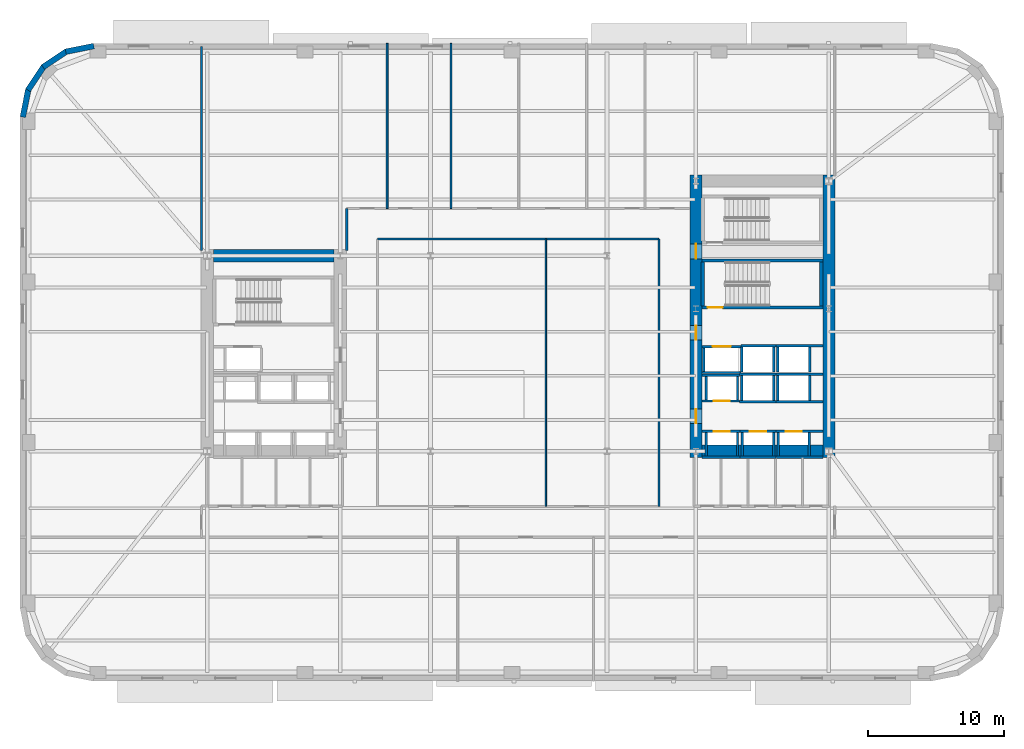
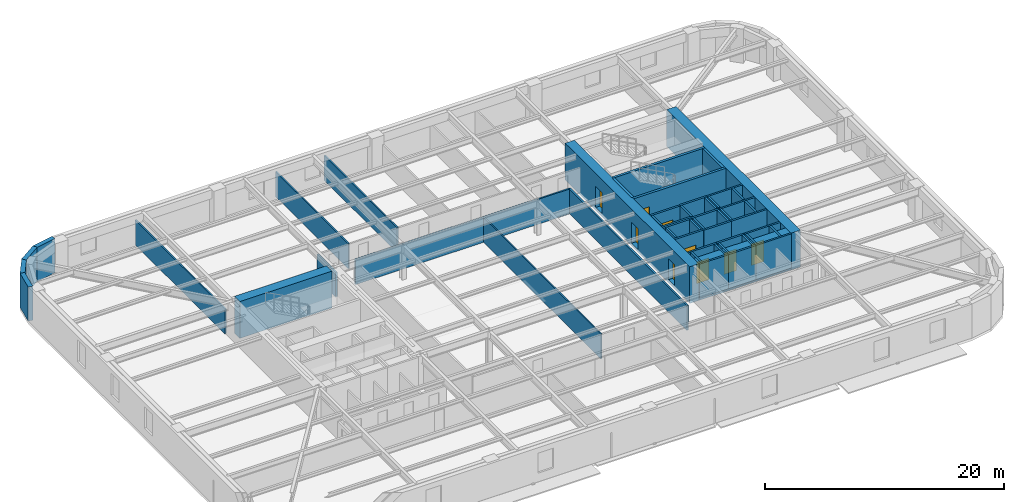
# One storey, part 6 of 15: 52 walls, 9 doors, 9 openings.
"""IFC4 building model written with IfcOpenShell, lengths in metres."""

from ifc_helpers import new_model, si_unit, direction, frame, frame_2d, origin, place, context, subcontext, project, spatial, rectangle, extrude, material, layer, layer_set, type_object, element, fill, save


model = new_model("IFC4")

# Units and contexts
model_context = context("Model", 3, precision=1e-05, world=origin(), true_north=direction((0.0, 1.0)))
body_context = subcontext(model_context, "Body", "Model", "MODEL_VIEW")
ifc_project = project(units=[si_unit("LENGTHUNIT", "METRE"), si_unit("AREAUNIT", "SQUARE_METRE"), si_unit("VOLUMEUNIT", "CUBIC_METRE"), si_unit("PLANEANGLEUNIT", "RADIAN"), si_unit("MASSUNIT", "GRAM", prefix="KILO")], contexts=[model_context])

# Site, building, storey
site_placement = place(None, origin())
site = spatial("IfcSite", under=ifc_project, at=site_placement, CompositionType="ELEMENT")
building_placement = place(site_placement, origin())
building = spatial("IfcBuilding", under=site, at=building_placement, Name="Kolvaren Arena Tower", CompositionType="ELEMENT")
storey_placement = place(building_placement, frame((0.0, 0.0, 68.25)))
storey = spatial("IfcBuildingStorey", under=building, at=storey_placement, Name="L14", CompositionType="ELEMENT", Elevation=68.25)

# Walls
ifc_material_1 = material(Name="Gypsum board acoustic assembly", Category="gypsum")
ifc_layer_1 = layer(ifc_material_1, 0.159912109375)
ifc_layer_set_1 = layer_set([ifc_layer_1], Name="Gypsum board acoustic assembly")
wall_type_1 = type_object("IfcWallType", Name="CORR-160", PredefinedType="PARTITIONING", material=ifc_layer_set_1)
wall_1_placement = place(storey_placement, frame((24.820068359375, 34.25, 0.0), z_axis=(0.0, 0.0, 1.0), x_axis=(0.0, 1.0, 0.0)))
element("IfcWall", 1, at=wall_1_placement, inside=storey, type_object=wall_type_1, Name="Interior Partition Wall (L14)", PredefinedType="PARTITIONING", context=body_context, shape_type="SweptSolid", body=[
    extrude(rectangle(XDim=3.070068359375, YDim=0.159912109375, at=frame_2d((1.53515625, 0.0))), origin(), (0.0, 0.0, 1.0), 2.5400390625),
])
wall_2_placement = place(storey_placement, frame((27.080078125, 35.080078125, 0.0), z_axis=(0.0, 0.0, 1.0), x_axis=(1.0, 0.0, 0.0)))
element("IfcWall", 2, at=wall_2_placement, inside=storey, type_object=wall_type_1, Name="Interior Partition Wall (L14)", PredefinedType="PARTITIONING", context=body_context, shape_type="SweptSolid", body=[
    extrude(rectangle(XDim=20.739990234375, YDim=0.159912109375, at=frame_2d((10.3701171875, 0.0))), origin(), (0.0, 0.0, 1.0), 2.5400390625),
])
wall_3_placement = place(storey_placement, frame((47.820068359375, 15.3798828125, 0.0), z_axis=(0.0, 0.0, 1.0), x_axis=(0.0, 1.0, 0.0)))
element("IfcWall", 3, at=wall_3_placement, inside=storey, type_object=wall_type_1, Name="Interior Partition Wall (L14)", PredefinedType="PARTITIONING", context=body_context, shape_type="SweptSolid", body=[
    extrude(rectangle(XDim=19.7001953125, YDim=0.159912109375, at=frame_2d((9.85009765625, 0.0))), origin(), (0.0, 0.0, 1.0), 2.5400390625),
])
ifc_material_2 = material(Name="Concrete 80 MPa", Category="concrete")
ifc_layer_2 = layer(ifc_material_2, 0.89990234375)
ifc_layer_set_2 = layer_set([ifc_layer_2], Name="Concrete 80 MPa")
wall_type_2 = type_object("IfcWallType", Name="CWALL-900", PredefinedType="SHEAR", material=ifc_layer_set_2)
wall_4_placement = place(storey_placement, frame((15.0, 33.85009765625, -0.27001953125), z_axis=(0.0, 0.0, 1.0), x_axis=(1.0, 0.0, 0.0)))
element("IfcWall", 4, at=wall_4_placement, inside=storey, type_object=wall_type_2, Name="Core Shear Wall WC-NORTH (L14)", PredefinedType="SHEAR", context=body_context, shape_type="SweptSolid", body=[
    extrude(rectangle(XDim=8.89990234375, YDim=0.89990234375, at=frame_2d((4.449951171875, 0.0))), origin(), (0.0, 0.0, 1.0), 3.75),
])

# Wall, openings, doors
wall_5_placement = place(storey_placement, frame((50.550048828125, 19.0, -0.27001953125), z_axis=(0.0, 0.0, 1.0), x_axis=(0.0, 1.0, 0.0)))
wall_5 = element("IfcWall", 5, at=wall_5_placement, inside=storey, type_object=wall_type_2, Name="Core Shear Wall EC-WEST (L14)", PredefinedType="SHEAR", context=body_context, shape_type="SweptSolid", body=[
    extrude(rectangle(XDim=20.800048828125, YDim=0.89990234375, at=frame_2d((10.39990234375, 0.0))), origin(), (0.0, 0.0, 1.0), 3.75),
])
opening_1_placement = place(wall_5_placement, frame((2.5, 0.0, 0.27001953125)))
opening_1 = element("IfcOpeningElement", 6, at=opening_1_placement, cuts=wall_5, Name="Opening D04", PredefinedType="OPENING", context=body_context, shape_type="SweptSolid", body=[
    extrude(rectangle(XDim=1.050048828125, YDim=2.14990234375, at=frame_2d((0.52490234375, 1.074951171875))), frame((0.0, 0.4599609375, 0.0), z_axis=(0.0, -1.0, 0.0), x_axis=(1.0, 0.0, 0.0)), (0.0, 0.0, 1.0), 0.919921875),
])
opening_2_placement = place(wall_5_placement, frame((8.64990234375, 0.0, 0.27001953125)))
opening_2 = element("IfcOpeningElement", 7, at=opening_2_placement, cuts=wall_5, Name="Opening D04", PredefinedType="OPENING", context=body_context, shape_type="SweptSolid", body=[
    extrude(rectangle(XDim=1.050048828125, YDim=2.14990234375, at=frame_2d((0.52490234375, 1.074951171875))), frame((0.0, 0.4599609375, 0.0), z_axis=(0.0, -1.0, 0.0), x_axis=(1.0, 0.0, 0.0)), (0.0, 0.0, 1.0), 0.919921875),
])
opening_3_placement = place(wall_5_placement, frame((14.6201171875, 0.0, 0.27001953125)))
opening_3 = element("IfcOpeningElement", 8, at=opening_3_placement, cuts=wall_5, Name="Opening D03", PredefinedType="OPENING", context=body_context, shape_type="SweptSolid", body=[
    extrude(rectangle(XDim=1.10009765625, YDim=2.14990234375, at=frame_2d((0.550048828125, 1.074951171875))), frame((0.0, 0.4599609375, 0.0), z_axis=(0.0, -1.0, 0.0), x_axis=(1.0, 0.0, 0.0)), (0.0, 0.0, 1.0), 0.919921875),
])
ifc_material_3 = material(Name="Fire-rated steel lobby door", Category="steel")
door_type_1 = type_object("IfcDoorType", Name="DOOR-FF-105", OperationType="NOTDEFINED", PredefinedType="DOOR", material=ifc_material_3)
door_1_placement = place(opening_1_placement, origin())
door_1 = element("IfcDoor", 9, at=door_1_placement, inside=storey, type_object=door_type_1, Name="East Lift Lobby Fire Door (L14)", OperationType="SINGLE_SWING_RIGHT", OverallHeight=2.14990234375, OverallWidth=1.050048828125, PredefinedType="DOOR", context=body_context, shape_type="SweptSolid", body=[
    extrude(rectangle(XDim=1.050048828125, YDim=2.14990234375, at=frame_2d((0.52490234375, 1.074951171875))), frame((0.0, 0.02490234375, 0.0), z_axis=(0.0, -1.0, 0.0), x_axis=(1.0, 0.0, 0.0)), (0.0, 0.0, 1.0), 0.050048828125),
])
fill(opening_1, door_1)
door_2_placement = place(opening_2_placement, origin())
door_2 = element("IfcDoor", 10, at=door_2_placement, inside=storey, type_object=door_type_1, Name="East Firefighter Vestibule Door (L14)", OperationType="SINGLE_SWING_LEFT", OverallHeight=2.14990234375, OverallWidth=1.050048828125, PredefinedType="DOOR", context=body_context, shape_type="SweptSolid", body=[
    extrude(rectangle(XDim=1.050048828125, YDim=2.14990234375, at=frame_2d((0.52490234375, 1.074951171875))), frame((0.0, 0.02490234375, 0.0), z_axis=(0.0, -1.0, 0.0), x_axis=(1.0, 0.0, 0.0)), (0.0, 0.0, 1.0), 0.050048828125),
])
fill(opening_2, door_2)
ifc_material_4 = material(Name="Fire-rated steel exit stair door", Category="steel")
door_type_2 = type_object("IfcDoorType", Name="DOOR-ST-110", OperationType="NOTDEFINED", PredefinedType="DOOR", material=ifc_material_4)
door_3_placement = place(opening_3_placement, origin())
door_3 = element("IfcDoor", 11, at=door_3_placement, inside=storey, type_object=door_type_2, Name="Stair ST-E2 Vestibule Fire Door (L14)", OperationType="SINGLE_SWING_LEFT", OverallHeight=2.14990234375, OverallWidth=1.10009765625, PredefinedType="DOOR", context=body_context, shape_type="SweptSolid", body=[
    extrude(rectangle(XDim=1.10009765625, YDim=2.14990234375, at=frame_2d((0.550048828125, 1.074951171875))), frame((0.0, 0.02490234375, 0.0), z_axis=(0.0, -1.0, 0.0), x_axis=(1.0, 0.0, 0.0)), (0.0, 0.0, 1.0), 0.050048828125),
])
fill(opening_3, door_3)

# Walls
wall_6_placement = place(storey_placement, frame((60.35009765625, 19.0, -0.27001953125), z_axis=(0.0, 0.0, 1.0), x_axis=(0.0, 1.0, 0.0)))
element("IfcWall", 12, at=wall_6_placement, inside=storey, type_object=wall_type_2, Name="Core Shear Wall EC-EAST (L14)", PredefinedType="SHEAR", context=body_context, shape_type="SweptSolid", body=[
    extrude(rectangle(XDim=20.800048828125, YDim=0.89990234375, at=frame_2d((10.39990234375, 0.0))), origin(), (0.0, 0.0, 1.0), 3.75),
])
wall_7_placement = place(storey_placement, frame((51.0, 19.449951171875, -0.27001953125), z_axis=(0.0, 0.0, 1.0), x_axis=(1.0, 0.0, 0.0)))
element("IfcWall", 13, at=wall_7_placement, inside=storey, type_object=wall_type_2, Name="Core Shear Wall EC-SOUTH (L14)", PredefinedType="SHEAR", context=body_context, shape_type="SweptSolid", body=[
    extrude(rectangle(XDim=8.89990234375, YDim=0.89990234375, at=frame_2d((4.449951171875, 0.0))), origin(), (0.0, 0.0, 1.0), 3.75),
])
ifc_material_5 = material(Name="Precast concrete C50/60", Category="concrete")
ifc_layer_3 = layer(ifc_material_5, 0.419921875)
ifc_layer_set_3 = layer_set([ifc_layer_3], Name="Precast concrete C50/60")
wall_type_3 = type_object("IfcWallType", Name="EXT-PIER1", PredefinedType="SOLIDWALL", material=ifc_layer_set_3)
for number, where, z_axis, x_axis, name in (
    (14, (4.12451171875, 48.8828125, 0.0), (0.0, 0.0, 1.0), (0.9807762837, 0.195135546048, 0.0), "Exterior Precast Masonry-Frame Wall (L14)"),
    (15, (2.4482421875, 47.743896484375, 0.0), (0.0, 0.0, 1.0), (0.831515102434, 0.555502146192, 0.0), "Exterior Precast Masonry-Frame Wall (L14)"),
    (16, (1.335693359375, 46.0498046875, 0.0), (0.0, 0.0, 1.0), (0.555502146192, 0.831515102434, 0.0), "Exterior Precast Masonry-Frame Wall (L14)"),
    (17, (0.9560546875, 44.05908203125, 0.0), (0.0, 0.0, 1.0), (0.195135546048, 0.9807762837, 0.0), "Exterior Precast Masonry-Frame Wall (L14)"),
):
    element("IfcWall", number, at=place(storey_placement, frame(where, z_axis=z_axis, x_axis=x_axis)), inside=storey, type_object=wall_type_3, Name=name, PredefinedType="SOLIDWALL", context=body_context, shape_type="SweptSolid", body=[
        extrude(rectangle(XDim=2.10693359375, YDim=0.419921875, at=frame_2d((1.053466796875, 0.0))), origin(), (0.0, 0.0, 1.0), 3.47998046875),
    ])
ifc_material_6 = material(Name="Gypsum board partition assembly", Category="gypsum")
ifc_layer_4 = layer(ifc_material_6, 0.114990234375)
ifc_layer_set_4 = layer_set([ifc_layer_4], Name="Gypsum board partition assembly")
wall_type_4 = type_object("IfcWallType", Name="PART-115", PredefinedType="PARTITIONING", material=ifc_layer_set_4)
wall_8_placement = place(storey_placement, frame((39.5, 15.3798828125, 0.0), z_axis=(0.0, 0.0, 1.0), x_axis=(0.0, 1.0, 0.0)))
element("IfcWall", 18, at=wall_8_placement, inside=storey, type_object=wall_type_4, Name="Interior Partition Wall (L14)", PredefinedType="PARTITIONING", context=body_context, shape_type="SweptSolid", body=[
    extrude(rectangle(XDim=19.7001953125, YDim=0.114990234375, at=frame_2d((9.85009765625, 0.0))), origin(), (0.0, 0.0, 1.0), 2.5400390625),
])
ifc_layer_5 = layer(ifc_material_6, 0.135009765625)
ifc_layer_set_5 = layer_set([ifc_layer_5], Name="Gypsum board partition assembly")
wall_type_5 = type_object("IfcWallType", Name="PART-135", PredefinedType="PARTITIONING", material=ifc_layer_set_5)
for number, where, z_axis, x_axis, name in (
    (19, (27.800048828125, 37.320068359375, 0.0), (0.0, 0.0, 1.0), (0.0, 1.0, 0.0), "Interior Partition Wall (L14)"),
    (20, (32.5, 37.320068359375, 0.0), (0.0, 0.0, 1.0), (0.0, 1.0, 0.0), "Interior Partition Wall (L14)"),
):
    element("IfcWall", number, at=place(storey_placement, frame(where, z_axis=z_axis, x_axis=x_axis)), inside=storey, type_object=wall_type_5, Name=name, PredefinedType="PARTITIONING", context=body_context, shape_type="SweptSolid", body=[
        extrude(rectangle(XDim=12.179931640625, YDim=0.135009765625, at=frame_2d((6.08984375, 0.0))), origin(), (0.0, 0.0, 1.0), 2.5400390625),
    ])
wall_9_placement = place(storey_placement, frame((14.1201171875, 34.25, 0.0), z_axis=(0.0, 0.0, 1.0), x_axis=(0.0, 1.0, 0.0)))
element("IfcWall", 21, at=wall_9_placement, inside=storey, type_object=wall_type_5, Name="Interior Partition Wall (L14)", PredefinedType="PARTITIONING", context=body_context, shape_type="SweptSolid", body=[
    extrude(rectangle(XDim=15.010009765625, YDim=0.135009765625, at=frame_2d((7.5048828125, 0.0))), origin(), (0.0, 0.0, 1.0), 2.5400390625),
])

# Wall, opening, door
ifc_material_7 = material(Name="Concrete 45 MPa", Category="concrete")
ifc_layer_6 = layer(ifc_material_7, 0.25)
ifc_layer_set_6 = layer_set([ifc_layer_6], Name="Concrete 45 MPa")
wall_type_6 = type_object("IfcWallType", Name="SHAFT-250", PredefinedType="SOLIDWALL", material=ifc_layer_set_6)
wall_10_placement = place(storey_placement, frame((59.89990234375, 30.030029296875, 0.0), z_axis=(0.0, 0.0, 1.0), x_axis=(-1.0, 0.0, 0.0)))
wall_10 = element("IfcWall", 22, at=wall_10_placement, inside=storey, type_object=wall_type_6, Name="Core Shaft Wall (L14)", PredefinedType="SOLIDWALL", context=body_context, shape_type="SweptSolid", body=[
    extrude(rectangle(XDim=8.89990234375, YDim=0.239990234375, at=frame_2d((4.449951171875, 0.0))), origin(), (0.0, 0.0, 1.0), 3.47998046875),
])
opening_4_placement = place(wall_10_placement, frame((7.3798828125, 0.0, 0.0)))
opening_4 = element("IfcOpeningElement", 23, at=opening_4_placement, cuts=wall_10, Name="Opening D03", PredefinedType="OPENING", context=body_context, shape_type="SweptSolid", body=[
    extrude(rectangle(XDim=1.10009765625, YDim=2.14990234375, at=frame_2d((0.550048828125, 1.074951171875))), frame((0.0, 0.1298828125, 0.0), z_axis=(0.0, -1.0, 0.0), x_axis=(1.0, 0.0, 0.0)), (0.0, 0.0, 1.0), 0.260009765625),
])
door_4_placement = place(opening_4_placement, origin())
door_4 = element("IfcDoor", 24, at=door_4_placement, inside=storey, type_object=door_type_2, Name="Stair ST-E1 Fire Door (L14)", OperationType="SINGLE_SWING_LEFT", OverallHeight=2.14990234375, OverallWidth=1.10009765625, PredefinedType="DOOR", context=body_context, shape_type="SweptSolid", body=[
    extrude(rectangle(XDim=1.10009765625, YDim=2.14990234375, at=frame_2d((0.550048828125, 1.074951171875))), frame((0.0, 0.02490234375, 0.0), z_axis=(0.0, -1.0, 0.0), x_axis=(1.0, 0.0, 0.0)), (0.0, 0.0, 1.0), 0.050048828125),
])
fill(opening_4, door_4)

# Walls
wall_11_placement = place(storey_placement, frame((51.0, 33.5, 0.0), z_axis=(0.0, 0.0, 1.0), x_axis=(1.0, 0.0, 0.0)))
element("IfcWall", 25, at=wall_11_placement, inside=storey, type_object=wall_type_6, Name="Core Shaft Wall (L14)", PredefinedType="SOLIDWALL", context=body_context, shape_type="SweptSolid", body=[
    extrude(rectangle(XDim=8.89990234375, YDim=0.239990234375, at=frame_2d((4.449951171875, 0.0))), origin(), (0.0, 0.0, 1.0), 3.47998046875),
])
for number, where, z_axis, x_axis, name in (
    (26, (51.06005859375, 30.14990234375, 0.0), (0.0, 0.0, 1.0), (0.0, 1.0, 0.0), "Core Shaft Wall (L14)"),
    (27, (59.780029296875, 30.14990234375, 0.0), (0.0, 0.0, 1.0), (0.0, 1.0, 0.0), "Core Shaft Wall (L14)"),
):
    element("IfcWall", number, at=place(storey_placement, frame(where, z_axis=z_axis, x_axis=x_axis)), inside=storey, type_object=wall_type_6, Name=name, PredefinedType="SOLIDWALL", context=body_context, shape_type="SweptSolid", body=[
        extrude(rectangle(XDim=3.22998046875, YDim=0.239990234375, at=frame_2d((1.614990234375, 0.0))), origin(), (0.0, 0.0, 1.0), 3.47998046875),
    ])

# Wall, opening, door
wall_12_placement = place(storey_placement, frame((51.0, 20.905029296875, 0.0), z_axis=(0.0, 0.0, 1.0), x_axis=(1.0, 0.0, 0.0)))
wall_12 = element("IfcWall", 28, at=wall_12_placement, inside=storey, type_object=wall_type_6, Name="Core Shaft Wall (L14)", PredefinedType="SOLIDWALL", context=body_context, shape_type="SweptSolid", body=[
    extrude(rectangle(XDim=2.7900390625, YDim=0.179931640625, at=frame_2d((1.39501953125, 0.0))), origin(), (0.0, 0.0, 1.0), 3.47998046875),
])
opening_5_placement = place(wall_12_placement, frame((0.860107421875, 0.0, 0.0)))
opening_5 = element("IfcOpeningElement", 29, at=opening_5_placement, cuts=wall_12, Name="Opening LD1", PredefinedType="OPENING", context=body_context, shape_type="SweptSolid", body=[
    extrude(rectangle(XDim=1.199951171875, YDim=2.199951171875, at=frame_2d((0.60009765625, 1.10009765625))), frame((0.0, 0.099853515625, 0.0), z_axis=(0.0, -1.0, 0.0), x_axis=(1.0, 0.0, 0.0)), (0.0, 0.0, 1.0), 0.199951171875),
])
ifc_material_8 = material(Name="Stainless steel passenger lift landing door", Category="steel")
door_type_3 = type_object("IfcDoorType", Name="DOOR-LD-120", OperationType="DOUBLE_DOOR_SLIDING", PredefinedType="DOOR", material=ifc_material_8)
door_5_placement = place(opening_5_placement, origin())
door_5 = element("IfcDoor", 30, at=door_5_placement, inside=storey, type_object=door_type_3, Name="Lift EL-LR1 Landing Door (L14)", OperationType="DOUBLE_DOOR_SLIDING", OverallHeight=2.199951171875, OverallWidth=1.199951171875, PredefinedType="DOOR", context=body_context, shape_type="SweptSolid", body=[
    extrude(rectangle(XDim=1.199951171875, YDim=2.199951171875, at=frame_2d((0.60009765625, 1.10009765625))), frame((0.0, 0.02490234375, 0.0), z_axis=(0.0, -1.0, 0.0), x_axis=(1.0, 0.0, 0.0)), (0.0, 0.0, 1.0), 0.050048828125),
])
fill(opening_5, door_5)

# Walls
wall_13_placement = place(storey_placement, frame((51.0, 18.9951171875, 0.0), z_axis=(0.0, 0.0, 1.0), x_axis=(1.0, 0.0, 0.0)))
element("IfcWall", 31, at=wall_13_placement, inside=storey, type_object=wall_type_6, Name="Core Shaft Wall (L14)", PredefinedType="SOLIDWALL", context=body_context, shape_type="SweptSolid", body=[
    extrude(rectangle(XDim=2.7900390625, YDim=0.179931640625, at=frame_2d((1.39501953125, 0.0))), origin(), (0.0, 0.0, 1.0), 3.47998046875),
])
for number, where, z_axis, x_axis, name in (
    (32, (51.304931640625, 19.0849609375, 0.0), (0.0, 0.0, 1.0), (0.0, 1.0, 0.0), "Core Shaft Wall (L14)"),
    (33, (53.614990234375, 19.0849609375, 0.0), (0.0, 0.0, 1.0), (0.0, 1.0, 0.0), "Core Shaft Wall (L14)"),
):
    element("IfcWall", number, at=place(storey_placement, frame(where, z_axis=z_axis, x_axis=x_axis)), inside=storey, type_object=wall_type_6, Name=name, PredefinedType="SOLIDWALL", context=body_context, shape_type="SweptSolid", body=[
        extrude(rectangle(XDim=1.72998046875, YDim=0.179931640625, at=frame_2d((0.864990234375, 0.0))), origin(), (0.0, 0.0, 1.0), 3.47998046875),
    ])

# Wall, opening, door
wall_14_placement = place(storey_placement, frame((53.7900390625, 20.905029296875, 0.0), z_axis=(0.0, 0.0, 1.0), x_axis=(1.0, 0.0, 0.0)))
wall_14 = element("IfcWall", 34, at=wall_14_placement, inside=storey, type_object=wall_type_6, Name="Core Shaft Wall (L14)", PredefinedType="SOLIDWALL", context=body_context, shape_type="SweptSolid", body=[
    extrude(rectangle(XDim=2.64990234375, YDim=0.179931640625, at=frame_2d((1.324951171875, 0.0))), origin(), (0.0, 0.0, 1.0), 3.47998046875),
])
opening_6_placement = place(wall_14_placement, frame((0.72998046875, 0.0, 0.0)))
opening_6 = element("IfcOpeningElement", 35, at=opening_6_placement, cuts=wall_14, Name="Opening LD1", PredefinedType="OPENING", context=body_context, shape_type="SweptSolid", body=[
    extrude(rectangle(XDim=1.199951171875, YDim=2.199951171875, at=frame_2d((0.60009765625, 1.10009765625))), frame((0.0, 0.099853515625, 0.0), z_axis=(0.0, -1.0, 0.0), x_axis=(1.0, 0.0, 0.0)), (0.0, 0.0, 1.0), 0.199951171875),
])
door_6_placement = place(opening_6_placement, origin())
door_6 = element("IfcDoor", 36, at=door_6_placement, inside=storey, type_object=door_type_3, Name="Lift EL-LR2 Landing Door (L14)", OperationType="DOUBLE_DOOR_SLIDING", OverallHeight=2.199951171875, OverallWidth=1.199951171875, PredefinedType="DOOR", context=body_context, shape_type="SweptSolid", body=[
    extrude(rectangle(XDim=1.199951171875, YDim=2.199951171875, at=frame_2d((0.60009765625, 1.10009765625))), frame((0.0, 0.02490234375, 0.0), z_axis=(0.0, -1.0, 0.0), x_axis=(1.0, 0.0, 0.0)), (0.0, 0.0, 1.0), 0.050048828125),
])
fill(opening_6, door_6)

# Walls
wall_15_placement = place(storey_placement, frame((53.7900390625, 18.9951171875, 0.0), z_axis=(0.0, 0.0, 1.0), x_axis=(1.0, 0.0, 0.0)))
element("IfcWall", 37, at=wall_15_placement, inside=storey, type_object=wall_type_6, Name="Core Shaft Wall (L14)", PredefinedType="SOLIDWALL", context=body_context, shape_type="SweptSolid", body=[
    extrude(rectangle(XDim=2.64990234375, YDim=0.179931640625, at=frame_2d((1.324951171875, 0.0))), origin(), (0.0, 0.0, 1.0), 3.47998046875),
])
for number, where, z_axis, x_axis, name in (
    (38, (53.965087890625, 19.0849609375, 0.0), (0.0, 0.0, 1.0), (0.0, 1.0, 0.0), "Core Shaft Wall (L14)"),
    (39, (56.27490234375, 19.0849609375, 0.0), (0.0, 0.0, 1.0), (0.0, 1.0, 0.0), "Core Shaft Wall (L14)"),
):
    element("IfcWall", number, at=place(storey_placement, frame(where, z_axis=z_axis, x_axis=x_axis)), inside=storey, type_object=wall_type_6, Name=name, PredefinedType="SOLIDWALL", context=body_context, shape_type="SweptSolid", body=[
        extrude(rectangle(XDim=1.72998046875, YDim=0.179931640625, at=frame_2d((0.864990234375, 0.0))), origin(), (0.0, 0.0, 1.0), 3.47998046875),
    ])

# Wall, opening, door
wall_16_placement = place(storey_placement, frame((56.43994140625, 20.905029296875, 0.0), z_axis=(0.0, 0.0, 1.0), x_axis=(1.0, 0.0, 0.0)))
wall_16 = element("IfcWall", 40, at=wall_16_placement, inside=storey, type_object=wall_type_6, Name="Core Shaft Wall (L14)", PredefinedType="SOLIDWALL", context=body_context, shape_type="SweptSolid", body=[
    extrude(rectangle(XDim=3.4599609375, YDim=0.179931640625, at=frame_2d((1.72998046875, 0.0))), origin(), (0.0, 0.0, 1.0), 3.47998046875),
])
opening_7_placement = place(wall_16_placement, frame((0.719970703125, 0.0, 0.0)))
opening_7 = element("IfcOpeningElement", 41, at=opening_7_placement, cuts=wall_16, Name="Opening LD1", PredefinedType="OPENING", context=body_context, shape_type="SweptSolid", body=[
    extrude(rectangle(XDim=1.199951171875, YDim=2.199951171875, at=frame_2d((0.60009765625, 1.10009765625))), frame((0.0, 0.099853515625, 0.0), z_axis=(0.0, -1.0, 0.0), x_axis=(1.0, 0.0, 0.0)), (0.0, 0.0, 1.0), 0.199951171875),
])
door_7_placement = place(opening_7_placement, origin())
door_7 = element("IfcDoor", 42, at=door_7_placement, inside=storey, type_object=door_type_3, Name="Lift EL-LR3 Landing Door (L14)", OperationType="DOUBLE_DOOR_SLIDING", OverallHeight=2.199951171875, OverallWidth=1.199951171875, PredefinedType="DOOR", context=body_context, shape_type="SweptSolid", body=[
    extrude(rectangle(XDim=1.199951171875, YDim=2.199951171875, at=frame_2d((0.60009765625, 1.10009765625))), frame((0.0, 0.02490234375, 0.0), z_axis=(0.0, -1.0, 0.0), x_axis=(1.0, 0.0, 0.0)), (0.0, 0.0, 1.0), 0.050048828125),
])
fill(opening_7, door_7)

# Walls
wall_17_placement = place(storey_placement, frame((56.43994140625, 18.9951171875, 0.0), z_axis=(0.0, 0.0, 1.0), x_axis=(1.0, 0.0, 0.0)))
element("IfcWall", 43, at=wall_17_placement, inside=storey, type_object=wall_type_6, Name="Core Shaft Wall (L14)", PredefinedType="SOLIDWALL", context=body_context, shape_type="SweptSolid", body=[
    extrude(rectangle(XDim=3.4599609375, YDim=0.179931640625, at=frame_2d((1.72998046875, 0.0))), origin(), (0.0, 0.0, 1.0), 3.47998046875),
])
for number, where, z_axis, x_axis, name in (
    (44, (56.60498046875, 19.0849609375, 0.0), (0.0, 0.0, 1.0), (0.0, 1.0, 0.0), "Core Shaft Wall (L14)"),
    (45, (58.9150390625, 19.0849609375, 0.0), (0.0, 0.0, 1.0), (0.0, 1.0, 0.0), "Core Shaft Wall (L14)"),
):
    element("IfcWall", number, at=place(storey_placement, frame(where, z_axis=z_axis, x_axis=x_axis)), inside=storey, type_object=wall_type_6, Name=name, PredefinedType="SOLIDWALL", context=body_context, shape_type="SweptSolid", body=[
        extrude(rectangle(XDim=1.72998046875, YDim=0.179931640625, at=frame_2d((0.864990234375, 0.0))), origin(), (0.0, 0.0, 1.0), 3.47998046875),
    ])
wall_18_placement = place(storey_placement, frame((51.0, 25.054931640625, 0.0), z_axis=(0.0, 0.0, 1.0), x_axis=(1.0, 0.0, 0.0)))
element("IfcWall", 46, at=wall_18_placement, inside=storey, type_object=wall_type_6, Name="Core Shaft Wall (L14)", PredefinedType="SOLIDWALL", context=body_context, shape_type="SweptSolid", body=[
    extrude(rectangle(XDim=2.777587890625, YDim=0.179931640625, at=frame_2d((1.388671875, 0.0))), origin(), (0.0, 0.0, 1.0), 3.47998046875),
])

# Wall, opening, door
wall_19_placement = place(storey_placement, frame((51.0, 23.14501953125, 0.0), z_axis=(0.0, 0.0, 1.0), x_axis=(1.0, 0.0, 0.0)))
wall_19 = element("IfcWall", 47, at=wall_19_placement, inside=storey, type_object=wall_type_6, Name="Core Shaft Wall (L14)", PredefinedType="SOLIDWALL", context=body_context, shape_type="SweptSolid", body=[
    extrude(rectangle(XDim=2.777587890625, YDim=0.179931640625, at=frame_2d((1.388671875, 0.0))), origin(), (0.0, 0.0, 1.0), 3.47998046875),
])
opening_8_placement = place(wall_19_placement, frame((0.860107421875, 0.0, 0.0)))
opening_8 = element("IfcOpeningElement", 48, at=opening_8_placement, cuts=wall_19, Name="Opening LD1", PredefinedType="OPENING", context=body_context, shape_type="SweptSolid", body=[
    extrude(rectangle(XDim=1.199951171875, YDim=2.199951171875, at=frame_2d((0.60009765625, 1.10009765625))), frame((0.0, 0.099853515625, 0.0), z_axis=(0.0, -1.0, 0.0), x_axis=(1.0, 0.0, 0.0)), (0.0, 0.0, 1.0), 0.199951171875),
])
door_8_placement = place(opening_8_placement, origin())
door_8 = element("IfcDoor", 49, at=door_8_placement, inside=storey, type_object=door_type_3, Name="Lift EL-LR4 Landing Door (L14)", OperationType="DOUBLE_DOOR_SLIDING", OverallHeight=2.199951171875, OverallWidth=1.199951171875, PredefinedType="DOOR", context=body_context, shape_type="SweptSolid", body=[
    extrude(rectangle(XDim=1.199951171875, YDim=2.199951171875, at=frame_2d((0.60009765625, 1.10009765625))), frame((0.0, 0.02490234375, 0.0), z_axis=(0.0, -1.0, 0.0), x_axis=(1.0, 0.0, 0.0)), (0.0, 0.0, 1.0), 0.050048828125),
])
fill(opening_8, door_8)

# Walls
for number, where, z_axis, x_axis, name in (
    (50, (51.304931640625, 23.235107421875, 0.0), (0.0, 0.0, 1.0), (0.0, 1.0, 0.0), "Core Shaft Wall (L14)"),
    (51, (53.614990234375, 23.235107421875, 0.0), (0.0, 0.0, 1.0), (0.0, 1.0, 0.0), "Core Shaft Wall (L14)"),
):
    element("IfcWall", number, at=place(storey_placement, frame(where, z_axis=z_axis, x_axis=x_axis)), inside=storey, type_object=wall_type_6, Name=name, PredefinedType="SOLIDWALL", context=body_context, shape_type="SweptSolid", body=[
        extrude(rectangle(XDim=1.72998046875, YDim=0.179931640625, at=frame_2d((0.864990234375, 0.0))), origin(), (0.0, 0.0, 1.0), 3.47998046875),
    ])
for number, where, z_axis, x_axis, name in (
    (52, (53.777587890625, 25.10498046875, 0.0), (0.0, 0.0, 1.0), (1.0, 0.0, 0.0), "Core Shaft Wall (L14)"),
    (53, (53.777587890625, 23.094970703125, 0.0), (0.0, 0.0, 1.0), (1.0, 0.0, 0.0), "Core Shaft Wall (L14)"),
):
    element("IfcWall", number, at=place(storey_placement, frame(where, z_axis=z_axis, x_axis=x_axis)), inside=storey, type_object=wall_type_6, Name=name, PredefinedType="SOLIDWALL", context=body_context, shape_type="SweptSolid", body=[
        extrude(rectangle(XDim=2.662353515625, YDim=0.179931640625, at=frame_2d((1.3310546875, 0.0))), origin(), (0.0, 0.0, 1.0), 3.47998046875),
    ])
for number, where, z_axis, x_axis, name in (
    (54, (53.93994140625, 23.18505859375, 0.0), (0.0, 0.0, 1.0), (0.0, 1.0, 0.0), "Core Shaft Wall (L14)"),
    (55, (56.300048828125, 23.18505859375, 0.0), (0.0, 0.0, 1.0), (0.0, 1.0, 0.0), "Core Shaft Wall (L14)"),
):
    element("IfcWall", number, at=place(storey_placement, frame(where, z_axis=z_axis, x_axis=x_axis)), inside=storey, type_object=wall_type_6, Name=name, PredefinedType="SOLIDWALL", context=body_context, shape_type="SweptSolid", body=[
        extrude(rectangle(XDim=1.829833984375, YDim=0.179931640625, at=frame_2d((0.9150390625, 0.0))), origin(), (0.0, 0.0, 1.0), 3.47998046875),
    ])
for number, where, z_axis, x_axis, name in (
    (56, (56.43994140625, 25.10498046875, 0.0), (0.0, 0.0, 1.0), (1.0, 0.0, 0.0), "Core Shaft Wall (L14)"),
    (57, (56.43994140625, 23.094970703125, 0.0), (0.0, 0.0, 1.0), (1.0, 0.0, 0.0), "Core Shaft Wall (L14)"),
):
    element("IfcWall", number, at=place(storey_placement, frame(where, z_axis=z_axis, x_axis=x_axis)), inside=storey, type_object=wall_type_6, Name=name, PredefinedType="SOLIDWALL", context=body_context, shape_type="SweptSolid", body=[
        extrude(rectangle(XDim=3.4599609375, YDim=0.179931640625, at=frame_2d((1.72998046875, 0.0))), origin(), (0.0, 0.0, 1.0), 3.47998046875),
    ])
for number, where, z_axis, x_axis, name in (
    (58, (56.580078125, 23.18505859375, 0.0), (0.0, 0.0, 1.0), (0.0, 1.0, 0.0), "Core Shaft Wall (L14)"),
    (59, (58.93994140625, 23.18505859375, 0.0), (0.0, 0.0, 1.0), (0.0, 1.0, 0.0), "Core Shaft Wall (L14)"),
):
    element("IfcWall", number, at=place(storey_placement, frame(where, z_axis=z_axis, x_axis=x_axis)), inside=storey, type_object=wall_type_6, Name=name, PredefinedType="SOLIDWALL", context=body_context, shape_type="SweptSolid", body=[
        extrude(rectangle(XDim=1.829833984375, YDim=0.179931640625, at=frame_2d((0.9150390625, 0.0))), origin(), (0.0, 0.0, 1.0), 3.47998046875),
    ])
wall_20_placement = place(storey_placement, frame((53.864990234375, 27.205078125, 0.0), z_axis=(0.0, 0.0, 1.0), x_axis=(1.0, 0.0, 0.0)))
element("IfcWall", 60, at=wall_20_placement, inside=storey, type_object=wall_type_6, Name="Core Shaft Wall (L14)", PredefinedType="SOLIDWALL", context=body_context, shape_type="SweptSolid", body=[
    extrude(rectangle(XDim=2.574951171875, YDim=0.179931640625, at=frame_2d((1.28759765625, 0.0))), origin(), (0.0, 0.0, 1.0), 3.47998046875),
])
for number, where, z_axis, x_axis, name in (
    (61, (53.93994140625, 25.284912109375, 0.0), (0.0, 0.0, 1.0), (0.0, 1.0, 0.0), "Core Shaft Wall (L14)"),
    (62, (56.300048828125, 25.284912109375, 0.0), (0.0, 0.0, 1.0), (0.0, 1.0, 0.0), "Core Shaft Wall (L14)"),
):
    element("IfcWall", number, at=place(storey_placement, frame(where, z_axis=z_axis, x_axis=x_axis)), inside=storey, type_object=wall_type_6, Name=name, PredefinedType="SOLIDWALL", context=body_context, shape_type="SweptSolid", body=[
        extrude(rectangle(XDim=1.830078125, YDim=0.179931640625, at=frame_2d((0.9150390625, 0.0))), origin(), (0.0, 0.0, 1.0), 3.47998046875),
    ])
wall_21_placement = place(storey_placement, frame((56.43994140625, 27.205078125, 0.0), z_axis=(0.0, 0.0, 1.0), x_axis=(1.0, 0.0, 0.0)))
element("IfcWall", 63, at=wall_21_placement, inside=storey, type_object=wall_type_6, Name="Core Shaft Wall (L14)", PredefinedType="SOLIDWALL", context=body_context, shape_type="SweptSolid", body=[
    extrude(rectangle(XDim=3.4599609375, YDim=0.179931640625, at=frame_2d((1.72998046875, 0.0))), origin(), (0.0, 0.0, 1.0), 3.47998046875),
])
for number, where, z_axis, x_axis, name in (
    (64, (56.580078125, 25.284912109375, 0.0), (0.0, 0.0, 1.0), (0.0, 1.0, 0.0), "Core Shaft Wall (L14)"),
    (65, (58.93994140625, 25.284912109375, 0.0), (0.0, 0.0, 1.0), (0.0, 1.0, 0.0), "Core Shaft Wall (L14)"),
):
    element("IfcWall", number, at=place(storey_placement, frame(where, z_axis=z_axis, x_axis=x_axis)), inside=storey, type_object=wall_type_6, Name=name, PredefinedType="SOLIDWALL", context=body_context, shape_type="SweptSolid", body=[
        extrude(rectangle(XDim=1.830078125, YDim=0.179931640625, at=frame_2d((0.9150390625, 0.0))), origin(), (0.0, 0.0, 1.0), 3.47998046875),
    ])

# Wall, opening, door
wall_22_placement = place(storey_placement, frame((51.0, 27.155029296875, 0.0), z_axis=(0.0, 0.0, 1.0), x_axis=(1.0, 0.0, 0.0)))
wall_22 = element("IfcWall", 66, at=wall_22_placement, inside=storey, type_object=wall_type_6, Name="Core Shaft Wall (L14)", PredefinedType="SOLIDWALL", context=body_context, shape_type="SweptSolid", body=[
    extrude(rectangle(XDim=2.864990234375, YDim=0.179931640625, at=frame_2d((1.4326171875, 0.0))), origin(), (0.0, 0.0, 1.0), 3.47998046875),
])
opening_9_placement = place(wall_22_placement, frame((0.784912109375, 0.0, 0.0)))
opening_9 = element("IfcOpeningElement", 67, at=opening_9_placement, cuts=wall_22, Name="Opening LD2", PredefinedType="OPENING", context=body_context, shape_type="SweptSolid", body=[
    extrude(rectangle(XDim=1.35009765625, YDim=2.300048828125, at=frame_2d((0.675048828125, 1.14990234375))), frame((0.0, 0.099853515625, 0.0), z_axis=(0.0, -1.0, 0.0), x_axis=(1.0, 0.0, 0.0)), (0.0, 0.0, 1.0), 0.199951171875),
])
ifc_material_9 = material(Name="Stainless steel firefighter lift landing door", Category="steel")
door_type_4 = type_object("IfcDoorType", Name="DOOR-LD-135", OperationType="DOUBLE_DOOR_SLIDING", PredefinedType="DOOR", material=ifc_material_9)
door_9_placement = place(opening_9_placement, origin())
door_9 = element("IfcDoor", 68, at=door_9_placement, inside=storey, type_object=door_type_4, Name="Firefighter Lift FF-E1 Landing Door (L14)", OperationType="DOUBLE_DOOR_SLIDING", OverallHeight=2.300048828125, OverallWidth=1.35009765625, PredefinedType="DOOR", context=body_context, shape_type="SweptSolid", body=[
    extrude(rectangle(XDim=1.35009765625, YDim=2.300048828125, at=frame_2d((0.675048828125, 1.14990234375))), frame((0.0, 0.02490234375, 0.0), z_axis=(0.0, -1.0, 0.0), x_axis=(1.0, 0.0, 0.0)), (0.0, 0.0, 1.0), 0.050048828125),
])
fill(opening_9, door_9)

# Walls
wall_23_placement = place(storey_placement, frame((51.0, 25.2451171875, 0.0), z_axis=(0.0, 0.0, 1.0), x_axis=(1.0, 0.0, 0.0)))
element("IfcWall", 69, at=wall_23_placement, inside=storey, type_object=wall_type_6, Name="Core Shaft Wall (L14)", PredefinedType="SOLIDWALL", context=body_context, shape_type="SweptSolid", body=[
    extrude(rectangle(XDim=2.864990234375, YDim=0.179931640625, at=frame_2d((1.4326171875, 0.0))), origin(), (0.0, 0.0, 1.0), 3.47998046875),
])
wall_24_placement = place(storey_placement, frame((51.1298828125, 25.3349609375, 0.0), z_axis=(0.0, 0.0, 1.0), x_axis=(0.0, 1.0, 0.0)))
element("IfcWall", 70, at=wall_24_placement, inside=storey, type_object=wall_type_6, Name="Core Shaft Wall (L14)", PredefinedType="SOLIDWALL", context=body_context, shape_type="SweptSolid", body=[
    extrude(rectangle(XDim=1.72998046875, YDim=0.179931640625, at=frame_2d((0.864990234375, 0.0))), origin(), (0.0, 0.0, 1.0), 3.47998046875),
])

save(model, "model.ifc")
